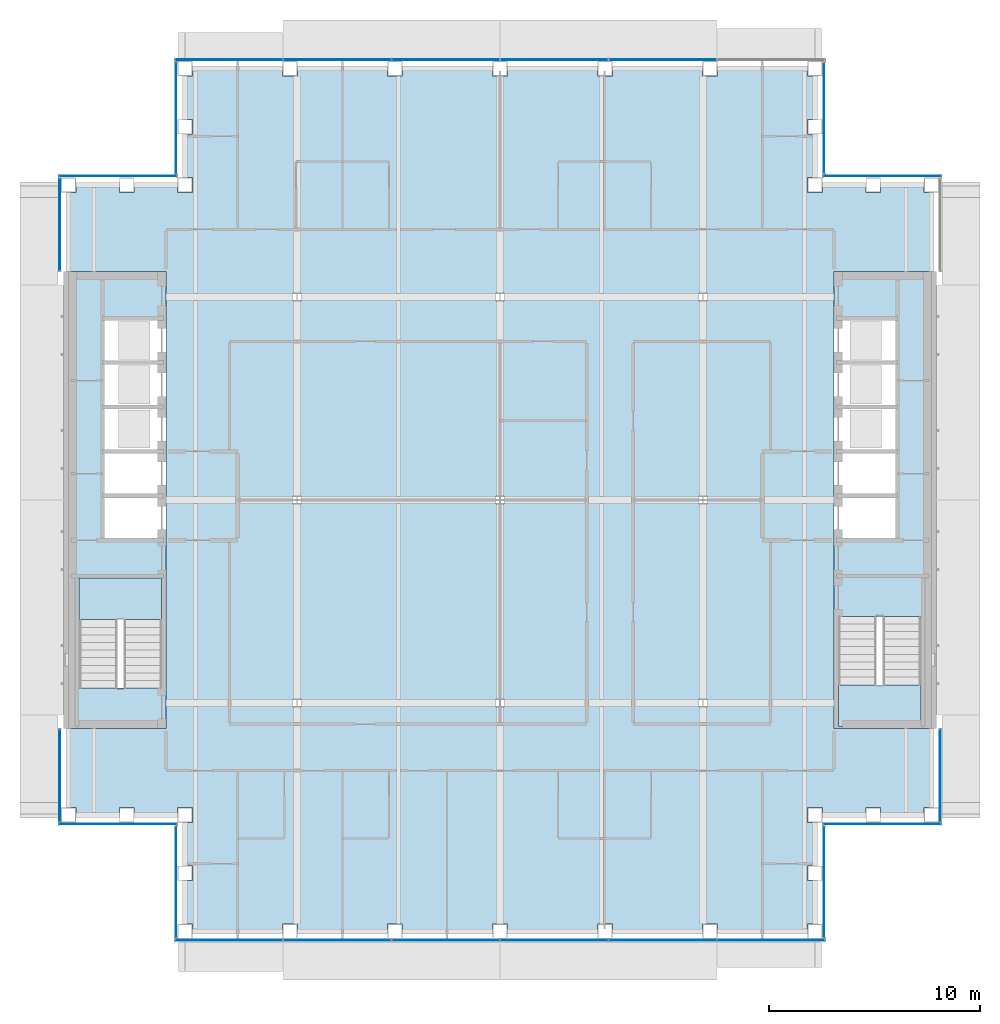
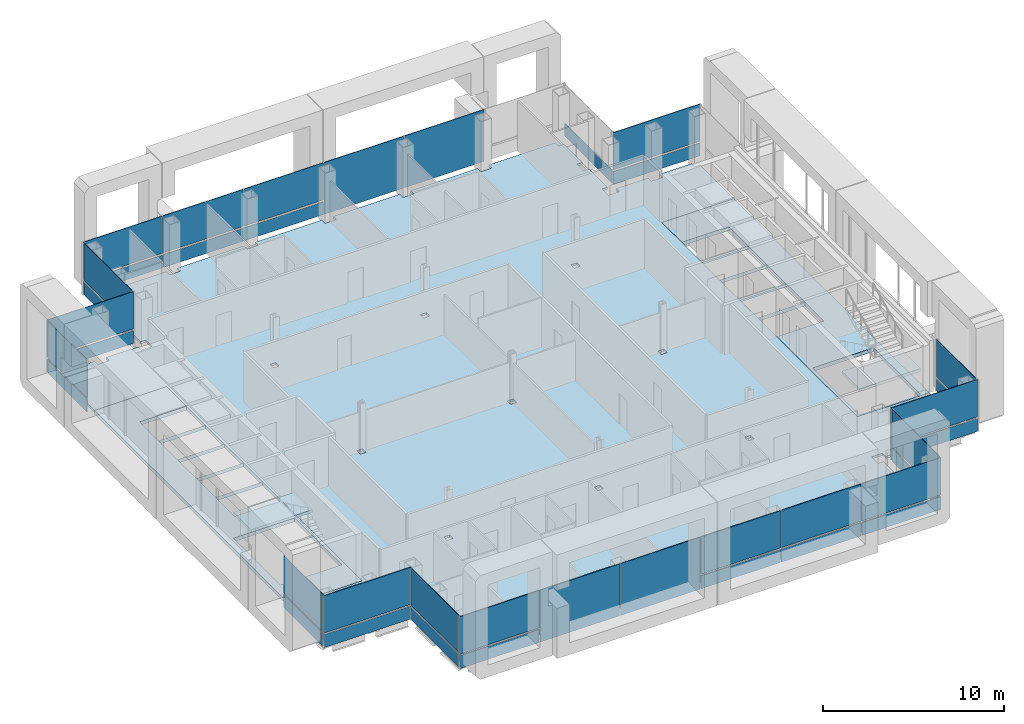
# One storey, part 8 of 19: 39 plates, 5 slabs, 15 elements without a shape of their own.
"""IFC4 building model written with IfcOpenShell, lengths in metres."""

from ifc_helpers import new_model, si_unit, direction, frame, origin, origin_2d, place, context, subcontext, project, spatial, polyline, rectangle, outline, extrude, material, layer, layer_set, type_object, element, aggregate, save


model = new_model("IFC4")

# Units and contexts
model_context = context("Model", 3, precision=1e-05, world=origin(), true_north=direction((0.0, 1.0)))
body_context = subcontext(model_context, "Body", "Model", "MODEL_VIEW")
ifc_project = project(units=[si_unit("LENGTHUNIT", "METRE"), si_unit("AREAUNIT", "SQUARE_METRE"), si_unit("VOLUMEUNIT", "CUBIC_METRE"), si_unit("PLANEANGLEUNIT", "RADIAN"), si_unit("MASSUNIT", "GRAM", prefix="KILO")], contexts=[model_context])

# Site, building, storey
site_placement = place(None, origin())
site = spatial("IfcSite", under=ifc_project, at=site_placement, CompositionType="ELEMENT")
building_placement = place(site_placement, origin())
building = spatial("IfcBuilding", under=site, at=building_placement, Name="Cobrizo Arcos Hotel Tower", CompositionType="ELEMENT")
storey_placement = place(building_placement, frame((0.0, 0.0, 205.0)))
storey = spatial("IfcBuildingStorey", under=building, at=storey_placement, Name="L53", CompositionType="ELEMENT", Elevation=205.0)

# Curtain wall, plates
ifc_material_1 = material(Name="Aluminium 6063-T6 anodised bronze", Category="aluminium")
curtain_wall_type = type_object("IfcCurtainWallType", Name="CW-A guest facade", PredefinedType="NOTDEFINED", material=ifc_material_1)
curtain_wall_1_placement = place(storey_placement, origin())
curtain_wall_1 = element("IfcCurtainWall", 1, at=curtain_wall_1_placement, inside=storey, type_object=curtain_wall_type, Name="CW-A L53 S face", PredefinedType="NOTDEFINED")
ifc_material_2 = material(Name="Glass clear laminated low-e", Category="glass")
ifc_layer_1 = layer(ifc_material_2, 0.0400390625)
ifc_layer_set_1 = layer_set([ifc_layer_1], Name="CW-A glass panel")
plate_type_1 = type_object("IfcPlateType", Name="CW-A glass panel", PredefinedType="CURTAIN_PANEL", material=ifc_layer_set_1)
plate_1_placement = place(storey_placement, frame((-12.818359375, -20.824951171875, 0.990234375), z_axis=(0.0, 0.0, 1.0), x_axis=(1.0, 0.0, 0.0)))
plate_1 = element("IfcPlate", 2, at=plate_1_placement, type_object=plate_type_1, Name="CW-A glass panel 1792", PredefinedType="CURTAIN_PANEL", context=body_context, shape_type="SweptSolid", body=[
    extrude(rectangle(XDim=5.043212890625, YDim=0.0400390625, at=origin_2d()), origin(), (0.0, 0.0, 1.0), 2.510009765625),
])
plate_2_placement = place(storey_placement, frame((2.566650390625, -20.824951171875, 0.990234375), z_axis=(0.0, 0.0, 1.0), x_axis=(1.0, 0.0, 0.0)))
plate_2 = element("IfcPlate", 3, at=plate_2_placement, type_object=plate_type_1, Name="CW-A glass panel 1795", PredefinedType="CURTAIN_PANEL", context=body_context, shape_type="SweptSolid", body=[
    extrude(rectangle(XDim=5.0732421875, YDim=0.0400390625, at=origin_2d()), origin(), (0.0, 0.0, 1.0), 2.510009765625),
])
plate_3_placement = place(storey_placement, frame((7.699951171875, -20.824951171875, 0.990234375), z_axis=(0.0, 0.0, 1.0), x_axis=(1.0, 0.0, 0.0)))
plate_3 = element("IfcPlate", 4, at=plate_3_placement, type_object=plate_type_1, Name="CW-A glass panel 1796", PredefinedType="CURTAIN_PANEL", context=body_context, shape_type="SweptSolid", body=[
    extrude(rectangle(XDim=5.0732421875, YDim=0.0400390625, at=origin_2d()), origin(), (0.0, 0.0, 1.0), 2.510009765625),
])
plate_4_placement = place(storey_placement, frame((12.818359375, -20.824951171875, 0.990234375), z_axis=(0.0, 0.0, 1.0), x_axis=(1.0, 0.0, 0.0)))
plate_4 = element("IfcPlate", 5, at=plate_4_placement, type_object=plate_type_1, Name="CW-A glass panel 1797", PredefinedType="CURTAIN_PANEL", context=body_context, shape_type="SweptSolid", body=[
    extrude(rectangle(XDim=5.043212890625, YDim=0.0400390625, at=origin_2d()), origin(), (0.0, 0.0, 1.0), 2.510009765625),
])

# Curtain wall, plate
curtain_wall_2_placement = place(storey_placement, origin())
curtain_wall_2 = element("IfcCurtainWall", 6, at=curtain_wall_2_placement, inside=storey, type_object=curtain_wall_type, Name="CW-A L53 E face", PredefinedType="NOTDEFINED")
plate_5_placement = place(storey_placement, frame((15.324951171875, -18.074951171875, 0.990234375), z_axis=(0.0, 0.0, 1.0), x_axis=(0.0, 1.0, 0.0)))
plate_5 = element("IfcPlate", 7, at=plate_5_placement, type_object=plate_type_1, Name="CW-A glass panel 1798", PredefinedType="CURTAIN_PANEL", context=body_context, shape_type="SweptSolid", body=[
    extrude(rectangle(XDim=5.22998046875, YDim=0.0400390625, at=origin_2d()), origin(), (0.0, 0.0, 1.0), 2.510009765625),
])

curtain_wall_3_placement = place(storey_placement, origin())
curtain_wall_3 = element("IfcCurtainWall", 8, at=curtain_wall_3_placement, inside=storey, type_object=curtain_wall_type, Name="CW-A L53 S face", PredefinedType="NOTDEFINED")
plate_6_placement = place(storey_placement, frame((18.074951171875, -15.324951171875, 0.990234375), z_axis=(0.0, 0.0, 1.0), x_axis=(1.0, 0.0, 0.0)))
plate_6 = element("IfcPlate", 9, at=plate_6_placement, type_object=plate_type_1, Name="CW-A glass panel 1799", PredefinedType="CURTAIN_PANEL", context=body_context, shape_type="SweptSolid", body=[
    extrude(rectangle(XDim=5.530029296875, YDim=0.0400390625, at=origin_2d()), origin(), (0.0, 0.0, 1.0), 2.510009765625),
])

curtain_wall_4_placement = place(storey_placement, origin())
curtain_wall_4 = element("IfcCurtainWall", 10, at=curtain_wall_4_placement, inside=storey, type_object=curtain_wall_type, Name="CW-A L53 E face", PredefinedType="NOTDEFINED")
plate_7_placement = place(storey_placement, frame((20.824951171875, -13.02490234375, 0.990234375), z_axis=(0.0, 0.0, 1.0), x_axis=(0.0, 1.0, 0.0)))
plate_7 = element("IfcPlate", 11, at=plate_7_placement, type_object=plate_type_1, Name="CW-A glass panel 1800", PredefinedType="CURTAIN_PANEL", context=body_context, shape_type="SweptSolid", body=[
    extrude(rectangle(XDim=4.330078125, YDim=0.0400390625, at=origin_2d()), origin(), (0.0, 0.0, 1.0), 2.510009765625),
])

curtain_wall_5_placement = place(storey_placement, origin())
curtain_wall_5 = element("IfcCurtainWall", 12, at=curtain_wall_5_placement, inside=storey, type_object=curtain_wall_type, Name="CW-A L53 N face", PredefinedType="NOTDEFINED")
plate_8_placement = place(storey_placement, frame((18.074951171875, 15.324951171875, 0.990234375), z_axis=(0.0, 0.0, 1.0), x_axis=(-1.0, 0.0, 0.0)))
plate_8 = element("IfcPlate", 13, at=plate_8_placement, type_object=plate_type_1, Name="CW-A glass panel 1802", PredefinedType="CURTAIN_PANEL", context=body_context, shape_type="SweptSolid", body=[
    extrude(rectangle(XDim=5.530029296875, YDim=0.0400390625, at=origin_2d()), origin(), (0.0, 0.0, 1.0), 2.510009765625),
])

# Curtain wall, plates
curtain_wall_6_placement = place(storey_placement, origin())
curtain_wall_6 = element("IfcCurtainWall", 14, at=curtain_wall_6_placement, inside=storey, type_object=curtain_wall_type, Name="CW-A L53 N face", PredefinedType="NOTDEFINED")
plate_9_placement = place(storey_placement, frame((-2.566650390625, 20.824951171875, 0.990234375), z_axis=(0.0, 0.0, 1.0), x_axis=(-1.0, 0.0, 0.0)))
plate_9 = element("IfcPlate", 15, at=plate_9_placement, type_object=plate_type_1, Name="CW-A glass panel 1807", PredefinedType="CURTAIN_PANEL", context=body_context, shape_type="SweptSolid", body=[
    extrude(rectangle(XDim=5.0732421875, YDim=0.0400390625, at=origin_2d()), origin(), (0.0, 0.0, 1.0), 2.510009765625),
])
plate_10_placement = place(storey_placement, frame((-7.699951171875, 20.824951171875, 0.990234375), z_axis=(0.0, 0.0, 1.0), x_axis=(-1.0, 0.0, 0.0)))
plate_10 = element("IfcPlate", 16, at=plate_10_placement, type_object=plate_type_1, Name="CW-A glass panel 1808", PredefinedType="CURTAIN_PANEL", context=body_context, shape_type="SweptSolid", body=[
    extrude(rectangle(XDim=5.0732421875, YDim=0.0400390625, at=origin_2d()), origin(), (0.0, 0.0, 1.0), 2.510009765625),
])
plate_11_placement = place(storey_placement, frame((-12.818359375, 20.824951171875, 0.990234375), z_axis=(0.0, 0.0, 1.0), x_axis=(-1.0, 0.0, 0.0)))
plate_11 = element("IfcPlate", 17, at=plate_11_placement, type_object=plate_type_1, Name="CW-A glass panel 1809", PredefinedType="CURTAIN_PANEL", context=body_context, shape_type="SweptSolid", body=[
    extrude(rectangle(XDim=5.043212890625, YDim=0.0400390625, at=origin_2d()), origin(), (0.0, 0.0, 1.0), 2.510009765625),
])

# Curtain wall, plate
curtain_wall_7_placement = place(storey_placement, origin())
curtain_wall_7 = element("IfcCurtainWall", 18, at=curtain_wall_7_placement, inside=storey, type_object=curtain_wall_type, Name="CW-A L53 W face", PredefinedType="NOTDEFINED")
plate_12_placement = place(storey_placement, frame((-15.324951171875, 18.074951171875, 0.990234375), z_axis=(0.0, 0.0, 1.0), x_axis=(0.0, -1.0, 0.0)))
plate_12 = element("IfcPlate", 19, at=plate_12_placement, type_object=plate_type_1, Name="CW-A glass panel 1810", PredefinedType="CURTAIN_PANEL", context=body_context, shape_type="SweptSolid", body=[
    extrude(rectangle(XDim=5.22998046875, YDim=0.0400390625, at=origin_2d()), origin(), (0.0, 0.0, 1.0), 2.510009765625),
])

curtain_wall_8_placement = place(storey_placement, origin())
curtain_wall_8 = element("IfcCurtainWall", 20, at=curtain_wall_8_placement, inside=storey, type_object=curtain_wall_type, Name="CW-A L53 N face", PredefinedType="NOTDEFINED")
plate_13_placement = place(storey_placement, frame((-18.074951171875, 15.324951171875, 0.990234375), z_axis=(0.0, 0.0, 1.0), x_axis=(-1.0, 0.0, 0.0)))
plate_13 = element("IfcPlate", 21, at=plate_13_placement, type_object=plate_type_1, Name="CW-A glass panel 1811", PredefinedType="CURTAIN_PANEL", context=body_context, shape_type="SweptSolid", body=[
    extrude(rectangle(XDim=5.530029296875, YDim=0.0400390625, at=origin_2d()), origin(), (0.0, 0.0, 1.0), 2.510009765625),
])

curtain_wall_9_placement = place(storey_placement, origin())
curtain_wall_9 = element("IfcCurtainWall", 22, at=curtain_wall_9_placement, inside=storey, type_object=curtain_wall_type, Name="CW-A L53 W face", PredefinedType="NOTDEFINED")
plate_14_placement = place(storey_placement, frame((-20.824951171875, 13.02490234375, 0.990234375), z_axis=(0.0, 0.0, 1.0), x_axis=(0.0, -1.0, 0.0)))
plate_14 = element("IfcPlate", 23, at=plate_14_placement, type_object=plate_type_1, Name="CW-A glass panel 1812", PredefinedType="CURTAIN_PANEL", context=body_context, shape_type="SweptSolid", body=[
    extrude(rectangle(XDim=4.330078125, YDim=0.0400390625, at=origin_2d()), origin(), (0.0, 0.0, 1.0), 2.510009765625),
])

curtain_wall_10_placement = place(storey_placement, origin())
curtain_wall_10 = element("IfcCurtainWall", 24, at=curtain_wall_10_placement, inside=storey, type_object=curtain_wall_type, Name="CW-A L53 W face", PredefinedType="NOTDEFINED")
plate_15_placement = place(storey_placement, frame((-20.824951171875, -13.02490234375, 0.990234375), z_axis=(0.0, 0.0, 1.0), x_axis=(0.0, -1.0, 0.0)))
plate_15 = element("IfcPlate", 25, at=plate_15_placement, type_object=plate_type_1, Name="CW-A glass panel 1813", PredefinedType="CURTAIN_PANEL", context=body_context, shape_type="SweptSolid", body=[
    extrude(rectangle(XDim=4.330078125, YDim=0.0400390625, at=origin_2d()), origin(), (0.0, 0.0, 1.0), 2.510009765625),
])

curtain_wall_11_placement = place(storey_placement, origin())
curtain_wall_11 = element("IfcCurtainWall", 26, at=curtain_wall_11_placement, inside=storey, type_object=curtain_wall_type, Name="CW-A L53 S face", PredefinedType="NOTDEFINED")
plate_16_placement = place(storey_placement, frame((-18.074951171875, -15.324951171875, 0.990234375), z_axis=(0.0, 0.0, 1.0), x_axis=(1.0, 0.0, 0.0)))
plate_16 = element("IfcPlate", 27, at=plate_16_placement, type_object=plate_type_1, Name="CW-A glass panel 1814", PredefinedType="CURTAIN_PANEL", context=body_context, shape_type="SweptSolid", body=[
    extrude(rectangle(XDim=5.530029296875, YDim=0.0400390625, at=origin_2d()), origin(), (0.0, 0.0, 1.0), 2.510009765625),
])

curtain_wall_12_placement = place(storey_placement, origin())
curtain_wall_12 = element("IfcCurtainWall", 28, at=curtain_wall_12_placement, inside=storey, type_object=curtain_wall_type, Name="CW-A L53 W face", PredefinedType="NOTDEFINED")
plate_17_placement = place(storey_placement, frame((-15.324951171875, -18.074951171875, 0.990234375), z_axis=(0.0, 0.0, 1.0), x_axis=(0.0, -1.0, 0.0)))
plate_17 = element("IfcPlate", 29, at=plate_17_placement, type_object=plate_type_1, Name="CW-A glass panel 1815", PredefinedType="CURTAIN_PANEL", context=body_context, shape_type="SweptSolid", body=[
    extrude(rectangle(XDim=5.22998046875, YDim=0.0400390625, at=origin_2d()), origin(), (0.0, 0.0, 1.0), 2.510009765625),
])

# Plate
ifc_material_3 = material(Name="Aluminium composite panel pale metal", Category="aluminium")
ifc_layer_2 = layer(ifc_material_3, 0.0400390625)
ifc_layer_set_2 = layer_set([ifc_layer_2], Name="CW-A spandrel panel")
plate_type_2 = type_object("IfcPlateType", Name="CW-A spandrel panel", PredefinedType="CURTAIN_PANEL", material=ifc_layer_set_2)
plate_18_placement = place(storey_placement, frame((-12.818359375, -20.824951171875, 0.0), z_axis=(0.0, 0.0, 1.0), x_axis=(1.0, 0.0, 0.0)))
plate_18 = element("IfcPlate", 30, at=plate_18_placement, type_object=plate_type_2, Name="CW-A spandrel panel 1792", PredefinedType="CURTAIN_PANEL", context=body_context, shape_type="SweptSolid", body=[
    extrude(rectangle(XDim=5.043212890625, YDim=0.0400390625, at=origin_2d()), origin(), (0.0, 0.0, 1.0), 0.8701171875),
])

plate_19_placement = place(storey_placement, frame((-7.699951171875, -20.824951171875, 0.0), z_axis=(0.0, 0.0, 1.0), x_axis=(1.0, 0.0, 0.0)))
plate_19 = element("IfcPlate", 31, at=plate_19_placement, type_object=plate_type_2, Name="CW-A spandrel panel 1793", PredefinedType="CURTAIN_PANEL", context=body_context, shape_type="SweptSolid", body=[
    extrude(rectangle(XDim=5.0732421875, YDim=0.0400390625, at=origin_2d()), origin(), (0.0, 0.0, 1.0), 3.5),
])

plate_20_placement = place(storey_placement, frame((-2.566650390625, -20.824951171875, 0.0), z_axis=(0.0, 0.0, 1.0), x_axis=(1.0, 0.0, 0.0)))
plate_20 = element("IfcPlate", 32, at=plate_20_placement, type_object=plate_type_2, Name="CW-A spandrel panel 1794", PredefinedType="CURTAIN_PANEL", context=body_context, shape_type="SweptSolid", body=[
    extrude(rectangle(XDim=5.0732421875, YDim=0.0400390625, at=origin_2d()), origin(), (0.0, 0.0, 1.0), 3.5),
])

plate_21_placement = place(storey_placement, frame((2.566650390625, -20.824951171875, 0.0), z_axis=(0.0, 0.0, 1.0), x_axis=(1.0, 0.0, 0.0)))
plate_21 = element("IfcPlate", 33, at=plate_21_placement, type_object=plate_type_2, Name="CW-A spandrel panel 1795", PredefinedType="CURTAIN_PANEL", context=body_context, shape_type="SweptSolid", body=[
    extrude(rectangle(XDim=5.0732421875, YDim=0.0400390625, at=origin_2d()), origin(), (0.0, 0.0, 1.0), 0.8701171875),
])

plate_22_placement = place(storey_placement, frame((7.699951171875, -20.824951171875, 0.0), z_axis=(0.0, 0.0, 1.0), x_axis=(1.0, 0.0, 0.0)))
plate_22 = element("IfcPlate", 34, at=plate_22_placement, type_object=plate_type_2, Name="CW-A spandrel panel 1796", PredefinedType="CURTAIN_PANEL", context=body_context, shape_type="SweptSolid", body=[
    extrude(rectangle(XDim=5.0732421875, YDim=0.0400390625, at=origin_2d()), origin(), (0.0, 0.0, 1.0), 0.8701171875),
])

plate_23_placement = place(storey_placement, frame((12.818359375, -20.824951171875, 0.0), z_axis=(0.0, 0.0, 1.0), x_axis=(1.0, 0.0, 0.0)))
plate_23 = element("IfcPlate", 35, at=plate_23_placement, type_object=plate_type_2, Name="CW-A spandrel panel 1797", PredefinedType="CURTAIN_PANEL", context=body_context, shape_type="SweptSolid", body=[
    extrude(rectangle(XDim=5.043212890625, YDim=0.0400390625, at=origin_2d()), origin(), (0.0, 0.0, 1.0), 0.8701171875),
])

aggregate(curtain_wall_1, [plate_18, plate_1, plate_19, plate_20, plate_21, plate_2, plate_22, plate_3, plate_23, plate_4])

plate_24_placement = place(storey_placement, frame((15.324951171875, -18.074951171875, 0.0), z_axis=(0.0, 0.0, 1.0), x_axis=(0.0, 1.0, 0.0)))
plate_24 = element("IfcPlate", 36, at=plate_24_placement, type_object=plate_type_2, Name="CW-A spandrel panel 1798", PredefinedType="CURTAIN_PANEL", context=body_context, shape_type="SweptSolid", body=[
    extrude(rectangle(XDim=5.22998046875, YDim=0.0400390625, at=origin_2d()), origin(), (0.0, 0.0, 1.0), 0.8701171875),
])

aggregate(curtain_wall_2, [plate_24, plate_5])

plate_25_placement = place(storey_placement, frame((18.074951171875, -15.324951171875, 0.0), z_axis=(0.0, 0.0, 1.0), x_axis=(1.0, 0.0, 0.0)))
plate_25 = element("IfcPlate", 37, at=plate_25_placement, type_object=plate_type_2, Name="CW-A spandrel panel 1799", PredefinedType="CURTAIN_PANEL", context=body_context, shape_type="SweptSolid", body=[
    extrude(rectangle(XDim=5.530029296875, YDim=0.0400390625, at=origin_2d()), origin(), (0.0, 0.0, 1.0), 0.8701171875),
])

aggregate(curtain_wall_3, [plate_25, plate_6])

plate_26_placement = place(storey_placement, frame((20.824951171875, -13.02490234375, 0.0), z_axis=(0.0, 0.0, 1.0), x_axis=(0.0, 1.0, 0.0)))
plate_26 = element("IfcPlate", 38, at=plate_26_placement, type_object=plate_type_2, Name="CW-A spandrel panel 1800", PredefinedType="CURTAIN_PANEL", context=body_context, shape_type="SweptSolid", body=[
    extrude(rectangle(XDim=4.330078125, YDim=0.0400390625, at=origin_2d()), origin(), (0.0, 0.0, 1.0), 0.8701171875),
])

aggregate(curtain_wall_4, [plate_26, plate_7])

plate_27_placement = place(storey_placement, frame((18.074951171875, 15.324951171875, 0.0), z_axis=(0.0, 0.0, 1.0), x_axis=(-1.0, 0.0, 0.0)))
plate_27 = element("IfcPlate", 39, at=plate_27_placement, type_object=plate_type_2, Name="CW-A spandrel panel 1802", PredefinedType="CURTAIN_PANEL", context=body_context, shape_type="SweptSolid", body=[
    extrude(rectangle(XDim=5.530029296875, YDim=0.0400390625, at=origin_2d()), origin(), (0.0, 0.0, 1.0), 0.8701171875),
])

aggregate(curtain_wall_5, [plate_27, plate_8])

# Curtain wall, plate
curtain_wall_13_placement = place(storey_placement, origin())
curtain_wall_13 = element("IfcCurtainWall", 40, at=curtain_wall_13_placement, inside=storey, type_object=curtain_wall_type, Name="CW-A L53 E face", PredefinedType="NOTDEFINED")
plate_28_placement = place(storey_placement, frame((15.324951171875, 18.074951171875, 0.0), z_axis=(0.0, 0.0, 1.0), x_axis=(0.0, 1.0, 0.0)))
plate_28 = element("IfcPlate", 41, at=plate_28_placement, type_object=plate_type_2, Name="CW-A spandrel panel 1803", PredefinedType="CURTAIN_PANEL", context=body_context, shape_type="SweptSolid", body=[
    extrude(rectangle(XDim=5.22998046875, YDim=0.0400390625, at=origin_2d()), origin(), (0.0, 0.0, 1.0), 0.8701171875),
])
aggregate(curtain_wall_13, [plate_28])

# Plate
plate_29_placement = place(storey_placement, frame((7.699951171875, 20.824951171875, 0.0), z_axis=(0.0, 0.0, 1.0), x_axis=(-1.0, 0.0, 0.0)))
plate_29 = element("IfcPlate", 42, at=plate_29_placement, type_object=plate_type_2, Name="CW-A spandrel panel 1805", PredefinedType="CURTAIN_PANEL", context=body_context, shape_type="SweptSolid", body=[
    extrude(rectangle(XDim=5.0732421875, YDim=0.0400390625, at=origin_2d()), origin(), (0.0, 0.0, 1.0), 3.5),
])

plate_30_placement = place(storey_placement, frame((2.566650390625, 20.824951171875, 0.0), z_axis=(0.0, 0.0, 1.0), x_axis=(-1.0, 0.0, 0.0)))
plate_30 = element("IfcPlate", 43, at=plate_30_placement, type_object=plate_type_2, Name="CW-A spandrel panel 1806", PredefinedType="CURTAIN_PANEL", context=body_context, shape_type="SweptSolid", body=[
    extrude(rectangle(XDim=5.0732421875, YDim=0.0400390625, at=origin_2d()), origin(), (0.0, 0.0, 1.0), 3.5),
])

plate_31_placement = place(storey_placement, frame((-2.566650390625, 20.824951171875, 0.0), z_axis=(0.0, 0.0, 1.0), x_axis=(-1.0, 0.0, 0.0)))
plate_31 = element("IfcPlate", 44, at=plate_31_placement, type_object=plate_type_2, Name="CW-A spandrel panel 1807", PredefinedType="CURTAIN_PANEL", context=body_context, shape_type="SweptSolid", body=[
    extrude(rectangle(XDim=5.0732421875, YDim=0.0400390625, at=origin_2d()), origin(), (0.0, 0.0, 1.0), 0.8701171875),
])

plate_32_placement = place(storey_placement, frame((-7.699951171875, 20.824951171875, 0.0), z_axis=(0.0, 0.0, 1.0), x_axis=(-1.0, 0.0, 0.0)))
plate_32 = element("IfcPlate", 45, at=plate_32_placement, type_object=plate_type_2, Name="CW-A spandrel panel 1808", PredefinedType="CURTAIN_PANEL", context=body_context, shape_type="SweptSolid", body=[
    extrude(rectangle(XDim=5.0732421875, YDim=0.0400390625, at=origin_2d()), origin(), (0.0, 0.0, 1.0), 0.8701171875),
])

plate_33_placement = place(storey_placement, frame((-12.818359375, 20.824951171875, 0.0), z_axis=(0.0, 0.0, 1.0), x_axis=(-1.0, 0.0, 0.0)))
plate_33 = element("IfcPlate", 46, at=plate_33_placement, type_object=plate_type_2, Name="CW-A spandrel panel 1809", PredefinedType="CURTAIN_PANEL", context=body_context, shape_type="SweptSolid", body=[
    extrude(rectangle(XDim=5.043212890625, YDim=0.0400390625, at=origin_2d()), origin(), (0.0, 0.0, 1.0), 0.8701171875),
])

aggregate(curtain_wall_6, [plate_29, plate_30, plate_31, plate_9, plate_32, plate_10, plate_33, plate_11])

plate_34_placement = place(storey_placement, frame((-15.324951171875, 18.074951171875, 0.0), z_axis=(0.0, 0.0, 1.0), x_axis=(0.0, -1.0, 0.0)))
plate_34 = element("IfcPlate", 47, at=plate_34_placement, type_object=plate_type_2, Name="CW-A spandrel panel 1810", PredefinedType="CURTAIN_PANEL", context=body_context, shape_type="SweptSolid", body=[
    extrude(rectangle(XDim=5.22998046875, YDim=0.0400390625, at=origin_2d()), origin(), (0.0, 0.0, 1.0), 0.8701171875),
])

aggregate(curtain_wall_7, [plate_34, plate_12])

plate_35_placement = place(storey_placement, frame((-18.074951171875, 15.324951171875, 0.0), z_axis=(0.0, 0.0, 1.0), x_axis=(-1.0, 0.0, 0.0)))
plate_35 = element("IfcPlate", 48, at=plate_35_placement, type_object=plate_type_2, Name="CW-A spandrel panel 1811", PredefinedType="CURTAIN_PANEL", context=body_context, shape_type="SweptSolid", body=[
    extrude(rectangle(XDim=5.530029296875, YDim=0.0400390625, at=origin_2d()), origin(), (0.0, 0.0, 1.0), 0.8701171875),
])

aggregate(curtain_wall_8, [plate_35, plate_13])

plate_36_placement = place(storey_placement, frame((-20.824951171875, 13.02490234375, 0.0), z_axis=(0.0, 0.0, 1.0), x_axis=(0.0, -1.0, 0.0)))
plate_36 = element("IfcPlate", 49, at=plate_36_placement, type_object=plate_type_2, Name="CW-A spandrel panel 1812", PredefinedType="CURTAIN_PANEL", context=body_context, shape_type="SweptSolid", body=[
    extrude(rectangle(XDim=4.330078125, YDim=0.0400390625, at=origin_2d()), origin(), (0.0, 0.0, 1.0), 0.8701171875),
])

aggregate(curtain_wall_9, [plate_36, plate_14])

plate_37_placement = place(storey_placement, frame((-20.824951171875, -13.02490234375, 0.0), z_axis=(0.0, 0.0, 1.0), x_axis=(0.0, -1.0, 0.0)))
plate_37 = element("IfcPlate", 50, at=plate_37_placement, type_object=plate_type_2, Name="CW-A spandrel panel 1813", PredefinedType="CURTAIN_PANEL", context=body_context, shape_type="SweptSolid", body=[
    extrude(rectangle(XDim=4.330078125, YDim=0.0400390625, at=origin_2d()), origin(), (0.0, 0.0, 1.0), 0.8701171875),
])

aggregate(curtain_wall_10, [plate_37, plate_15])

plate_38_placement = place(storey_placement, frame((-18.074951171875, -15.324951171875, 0.0), z_axis=(0.0, 0.0, 1.0), x_axis=(1.0, 0.0, 0.0)))
plate_38 = element("IfcPlate", 51, at=plate_38_placement, type_object=plate_type_2, Name="CW-A spandrel panel 1814", PredefinedType="CURTAIN_PANEL", context=body_context, shape_type="SweptSolid", body=[
    extrude(rectangle(XDim=5.530029296875, YDim=0.0400390625, at=origin_2d()), origin(), (0.0, 0.0, 1.0), 0.8701171875),
])

aggregate(curtain_wall_11, [plate_38, plate_16])

plate_39_placement = place(storey_placement, frame((-15.324951171875, -18.074951171875, 0.0), z_axis=(0.0, 0.0, 1.0), x_axis=(0.0, -1.0, 0.0)))
plate_39 = element("IfcPlate", 52, at=plate_39_placement, type_object=plate_type_2, Name="CW-A spandrel panel 1815", PredefinedType="CURTAIN_PANEL", context=body_context, shape_type="SweptSolid", body=[
    extrude(rectangle(XDim=5.22998046875, YDim=0.0400390625, at=origin_2d()), origin(), (0.0, 0.0, 1.0), 0.8701171875),
])

aggregate(curtain_wall_12, [plate_39, plate_17])

# Slabs
ifc_material_4 = material(Name="Concrete f'c 35 MPa", Category="concrete")
ifc_layer_3 = layer(ifc_material_4, 0.14990234375)
ifc_layer_set_3 = layer_set([ifc_layer_3], Name="Composite floor slab 150 f'c 35")
slab_type_1 = type_object("IfcSlabType", Name="Composite floor slab 150 f'c 35", PredefinedType="FLOOR", material=ifc_layer_set_3)
slab_1_placement = place(storey_placement, frame((0.0, 0.0, -0.14990234375)))
element("IfcSlab", 53, at=slab_1_placement, inside=storey, type_object=slab_type_1, Name="Floor slab S5, L53, no. 01", PredefinedType="FLOOR", context=body_context, shape_type="SweptSolid", body=[
    extrude(outline(polyline([(-14.550048828125, -20.39990234375), (-14.550048828125, -20.050048828125), (-14.89990234375, -20.050048828125), (-14.89990234375, -18.0), (-14.550048828125, -18.0), (-14.550048828125, -17.300048828125), (-14.89990234375, -17.300048828125), (-14.89990234375, -15.25), (-14.550048828125, -15.25), (-14.550048828125, -14.550048828125), (-15.25, -14.550048828125), (-15.25, -14.89990234375), (-17.300048828125, -14.89990234375), (-17.300048828125, -14.550048828125), (-18.0, -14.550048828125), (-18.0, -14.89990234375), (-20.050048828125, -14.89990234375), (-20.050048828125, -14.550048828125), (-20.39990234375, -14.550048828125), (-20.39990234375, -10.800048828125), (-15.800048828125, -10.800048828125), (-15.800048828125, 10.800048828125), (-20.39990234375, 10.800048828125), (-20.39990234375, 14.550048828125), (-20.050048828125, 14.550048828125), (-20.050048828125, 14.89990234375), (-18.0, 14.89990234375), (-18.0, 14.550048828125), (-17.300048828125, 14.550048828125), (-17.300048828125, 14.89990234375), (-15.25, 14.89990234375), (-15.25, 14.550048828125), (-14.550048828125, 14.550048828125), (-14.550048828125, 15.25), (-14.89990234375, 15.25), (-14.89990234375, 17.300048828125), (-14.550048828125, 17.300048828125), (-14.550048828125, 18.0), (-14.89990234375, 18.0), (-14.89990234375, 20.050048828125), (-14.550048828125, 20.050048828125), (-14.550048828125, 20.39990234375), (-10.282958984375, 20.39990234375), (-10.282958984375, 20.050048828125), (-9.5830078125, 20.050048828125), (-9.5830078125, 20.39990234375), (-5.31689453125, 20.39990234375), (-5.31689453125, 20.050048828125), (-4.616943359375, 20.050048828125), (-4.616943359375, 20.39990234375), (-0.35009765625, 20.39990234375), (-0.35009765625, 20.050048828125), (0.35009765625, 20.050048828125), (0.35009765625, 20.39990234375), (4.616943359375, 20.39990234375), (4.616943359375, 20.050048828125), (5.31689453125, 20.050048828125), (5.31689453125, 20.39990234375), (9.5830078125, 20.39990234375), (9.5830078125, 20.050048828125), (10.282958984375, 20.050048828125), (10.282958984375, 20.39990234375), (14.550048828125, 20.39990234375), (14.550048828125, 20.050048828125), (14.89990234375, 20.050048828125), (14.89990234375, 18.0), (14.550048828125, 18.0), (14.550048828125, 17.300048828125), (14.89990234375, 17.300048828125), (14.89990234375, 15.25), (14.550048828125, 15.25), (14.550048828125, 14.550048828125), (15.25, 14.550048828125), (15.25, 14.89990234375), (17.300048828125, 14.89990234375), (17.300048828125, 14.550048828125), (18.0, 14.550048828125), (18.0, 14.89990234375), (20.050048828125, 14.89990234375), (20.050048828125, 14.550048828125), (20.39990234375, 14.550048828125), (20.39990234375, 10.800048828125), (15.800048828125, 10.800048828125), (15.800048828125, -10.800048828125), (20.39990234375, -10.800048828125), (20.39990234375, -14.550048828125), (20.050048828125, -14.550048828125), (20.050048828125, -14.89990234375), (18.0, -14.89990234375), (18.0, -14.550048828125), (17.300048828125, -14.550048828125), (17.300048828125, -14.89990234375), (15.25, -14.89990234375), (15.25, -14.550048828125), (14.550048828125, -14.550048828125), (14.550048828125, -15.25), (14.89990234375, -15.25), (14.89990234375, -17.300048828125), (14.550048828125, -17.300048828125), (14.550048828125, -18.0), (14.89990234375, -18.0), (14.89990234375, -20.050048828125), (14.550048828125, -20.050048828125), (14.550048828125, -20.39990234375), (10.282958984375, -20.39990234375), (10.282958984375, -20.050048828125), (9.5830078125, -20.050048828125), (9.5830078125, -20.39990234375), (5.31689453125, -20.39990234375), (5.31689453125, -20.050048828125), (4.616943359375, -20.050048828125), (4.616943359375, -20.39990234375), (0.35009765625, -20.39990234375), (0.35009765625, -20.050048828125), (-0.35009765625, -20.050048828125), (-0.35009765625, -20.39990234375), (-4.616943359375, -20.39990234375), (-4.616943359375, -20.050048828125), (-5.31689453125, -20.050048828125), (-5.31689453125, -20.39990234375), (-9.5830078125, -20.39990234375), (-9.5830078125, -20.050048828125), (-10.282958984375, -20.050048828125), (-10.282958984375, -20.39990234375), (-14.550048828125, -20.39990234375)]), holes=[polyline([(-9.413330078125, -9.78662109375), (-9.413330078125, -9.413330078125), (-9.78662109375, -9.413330078125), (-9.78662109375, -9.78662109375), (-9.413330078125, -9.78662109375)]), polyline([(0.186767578125, -9.78662109375), (0.186767578125, -9.413330078125), (-0.186767578125, -9.413330078125), (-0.186767578125, -9.78662109375), (0.186767578125, -9.78662109375)]), polyline([(9.413330078125, -9.78662109375), (9.78662109375, -9.78662109375), (9.78662109375, -9.413330078125), (9.413330078125, -9.413330078125), (9.413330078125, -9.78662109375)]), polyline([(-9.78662109375, -0.186767578125), (-9.413330078125, -0.186767578125), (-9.413330078125, 0.186767578125), (-9.78662109375, 0.186767578125), (-9.78662109375, -0.186767578125)]), polyline([(0.186767578125, -0.186767578125), (0.186767578125, 0.186767578125), (-0.186767578125, 0.186767578125), (-0.186767578125, -0.186767578125), (0.186767578125, -0.186767578125)]), polyline([(9.78662109375, -0.186767578125), (9.78662109375, 0.186767578125), (9.413330078125, 0.186767578125), (9.413330078125, -0.186767578125), (9.78662109375, -0.186767578125)]), polyline([(-9.413330078125, 9.413330078125), (-9.413330078125, 9.78662109375), (-9.78662109375, 9.78662109375), (-9.78662109375, 9.413330078125), (-9.413330078125, 9.413330078125)]), polyline([(-0.186767578125, 9.413330078125), (0.186767578125, 9.413330078125), (0.186767578125, 9.78662109375), (-0.186767578125, 9.78662109375), (-0.186767578125, 9.413330078125)]), polyline([(9.413330078125, 9.413330078125), (9.78662109375, 9.413330078125), (9.78662109375, 9.78662109375), (9.413330078125, 9.78662109375), (9.413330078125, 9.413330078125)])]), origin(), (0.0, 0.0, 1.0), 0.14990234375),
])
ifc_material_5 = material(Name="Concrete f'c 40 MPa", Category="concrete")
ifc_layer_4 = layer(ifc_material_5, 0.25)
ifc_layer_set_4 = layer_set([ifc_layer_4], Name="RC core floor slab 250 f'c 40")
slab_type_2 = type_object("IfcSlabType", Name="RC core floor slab 250 f'c 40", PredefinedType="FLOOR", material=ifc_layer_set_4)
slab_2_placement = place(storey_placement, frame((0.0, 0.0, -0.25)))
element("IfcSlab", 54, at=slab_2_placement, inside=storey, type_object=slab_type_2, Name="Core floor slab CS7, east core, L53", PredefinedType="FLOOR", context=body_context, shape_type="SweptSolid", body=[
    extrude(outline(polyline([(15.800048828125, 10.800048828125), (20.39990234375, 10.800048828125), (20.39990234375, -10.800048828125), (15.800048828125, -10.800048828125), (15.800048828125, 10.800048828125)]), holes=[polyline([(19.89794921875, -10.697998046875), (19.89794921875, -5.501953125), (16.001953125, -5.501953125), (16.001953125, -10.697998046875), (19.89794921875, -10.697998046875)]), polyline([(15.802001953125, 0.197998046875), (15.802001953125, -1.89794921875), (18.798095703125, -1.89794921875), (18.798095703125, 0.197998046875), (15.802001953125, 0.197998046875)]), polyline([(15.802001953125, 2.298095703125), (15.802001953125, 0.201904296875), (18.798095703125, 0.201904296875), (18.798095703125, 2.298095703125), (15.802001953125, 2.298095703125)]), polyline([(15.802001953125, 4.39794921875), (15.802001953125, 2.302001953125), (18.798095703125, 2.302001953125), (18.798095703125, 4.39794921875), (15.802001953125, 4.39794921875)]), polyline([(18.798095703125, 6.498046875), (15.802001953125, 6.498046875), (15.802001953125, 4.402099609375), (18.798095703125, 4.402099609375), (18.798095703125, 6.498046875)]), polyline([(18.798095703125, 8.597900390625), (15.802001953125, 8.597900390625), (15.802001953125, 6.501953125), (18.798095703125, 6.501953125), (18.798095703125, 8.597900390625)])]), origin(), (0.0, 0.0, 1.0), 0.25),
])
slab_3_placement = place(storey_placement, frame((0.0, 0.0, -0.25)))
element("IfcSlab", 55, at=slab_3_placement, inside=storey, type_object=slab_type_2, Name="Core floor slab CS7, west core, L53", PredefinedType="FLOOR", context=body_context, shape_type="SweptSolid", body=[
    extrude(outline(polyline([(-20.39990234375, 10.800048828125), (-15.800048828125, 10.800048828125), (-15.800048828125, -10.800048828125), (-20.39990234375, -10.800048828125), (-20.39990234375, 10.800048828125)]), holes=[polyline([(-19.89794921875, -3.701904296875), (-19.89794921875, -8.89794921875), (-16.001953125, -8.89794921875), (-16.001953125, -3.701904296875), (-19.89794921875, -3.701904296875)]), polyline([(-18.798095703125, 0.197998046875), (-18.798095703125, -1.89794921875), (-15.802001953125, -1.89794921875), (-15.802001953125, 0.197998046875), (-18.798095703125, 0.197998046875)]), polyline([(-18.798095703125, 2.298095703125), (-18.798095703125, 0.201904296875), (-15.802001953125, 0.201904296875), (-15.802001953125, 2.298095703125), (-18.798095703125, 2.298095703125)]), polyline([(-18.798095703125, 4.39794921875), (-18.798095703125, 2.302001953125), (-15.802001953125, 2.302001953125), (-15.802001953125, 4.39794921875), (-18.798095703125, 4.39794921875)]), polyline([(-15.802001953125, 6.498046875), (-18.798095703125, 6.498046875), (-18.798095703125, 4.402099609375), (-15.802001953125, 4.402099609375), (-15.802001953125, 6.498046875)]), polyline([(-15.802001953125, 8.597900390625), (-18.798095703125, 8.597900390625), (-18.798095703125, 6.501953125), (-15.802001953125, 6.501953125), (-15.802001953125, 8.597900390625)])]), origin(), (0.0, 0.0, 1.0), 0.25),
])

# Stair, slab
stair_type = type_object("IfcStairType", Name="Exit stair", PredefinedType="HALF_TURN_STAIR", material=ifc_material_5)
stair_1_placement = place(storey_placement, origin())
stair_1 = element("IfcStair", 56, at=stair_1_placement, inside=storey, type_object=stair_type, Name="L53 Exit stair ST-W", PredefinedType="HALF_TURN_STAIR")
ifc_layer_5 = layer(ifc_material_5, 0.199951171875)
ifc_layer_set_5 = layer_set([ifc_layer_5], Name="Stair landing")
slab_type_3 = type_object("IfcSlabType", Name="Stair landing", PredefinedType="LANDING", material=ifc_layer_set_5)
slab_4_placement = place(storey_placement, frame((0.0, 0.0, 1.550048828125)))
slab_4 = element("IfcSlab", 57, at=slab_4_placement, type_object=slab_type_3, Name="ST-W landing 1", PredefinedType="LANDING", context=body_context, shape_type="SweptSolid", body=[
    extrude(outline(polyline([(-16.0, -5.659912109375), (-16.0, -3.699951171875), (-19.89990234375, -3.699951171875), (-19.89990234375, -5.659912109375), (-16.0, -5.659912109375)])), origin(), (0.0, 0.0, 1.0), 0.199951171875),
])
aggregate(stair_1, [slab_4])

stair_2_placement = place(storey_placement, origin())
stair_2 = element("IfcStair", 58, at=stair_2_placement, inside=storey, type_object=stair_type, Name="L53 Exit stair ST-E", PredefinedType="HALF_TURN_STAIR")
slab_5_placement = place(storey_placement, frame((0.0, 0.0, 1.550048828125)))
slab_5 = element("IfcSlab", 59, at=slab_5_placement, type_object=slab_type_3, Name="ST-E landing 1", PredefinedType="LANDING", context=body_context, shape_type="SweptSolid", body=[
    extrude(outline(polyline([(16.0, -8.739990234375), (16.0, -10.699951171875), (19.89990234375, -10.699951171875), (19.89990234375, -8.739990234375), (16.0, -8.739990234375)])), origin(), (0.0, 0.0, 1.0), 0.199951171875),
])
aggregate(stair_2, [slab_5])

save(model, "model.ifc")
